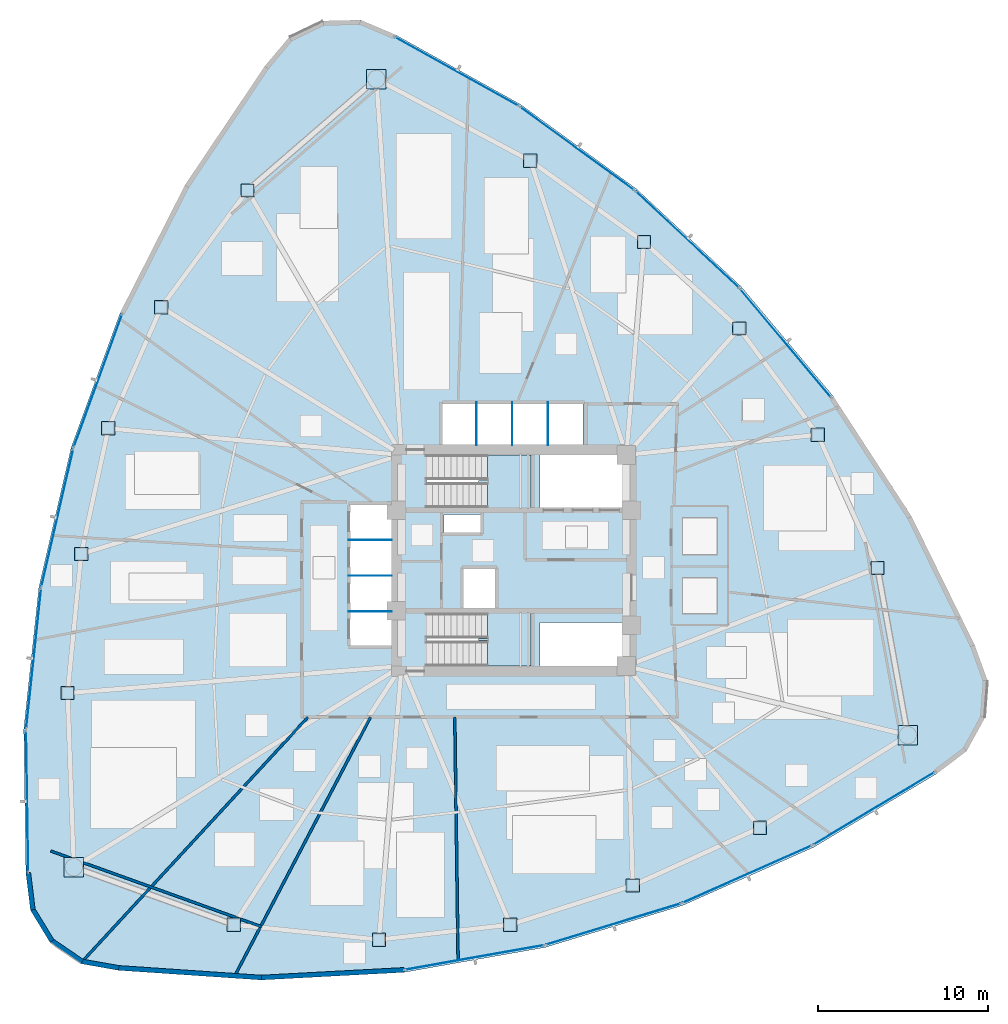
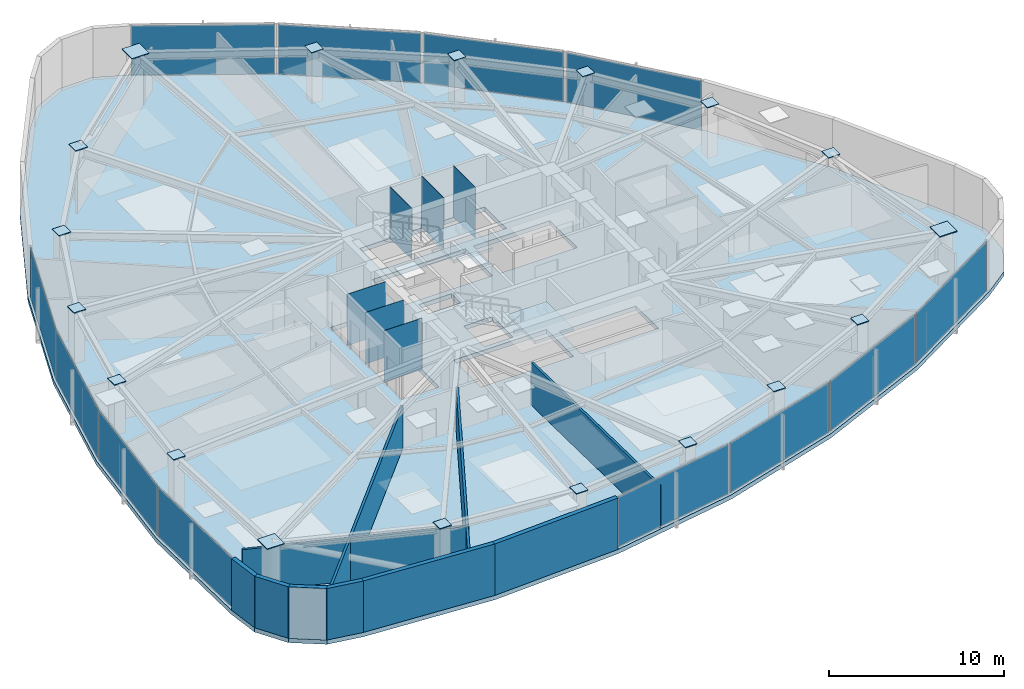
# One storey, part 10 of 17: 36 plates, 10 walls, 3 slabs, 14 elements without a shape of their own.
"""IFC4 building model written with IfcOpenShell, lengths in metres."""

from ifc_helpers import new_model, si_unit, direction, frame, frame_2d, origin, origin_2d, place, context, subcontext, project, spatial, polyline, rectangle, outline, extrude, source, transform, mapped, material, layer, layer_set, type_object, type_shapes, element, aggregate, save


model = new_model("IFC4")

# Units and contexts
model_context = context("Model", 3, precision=1e-05, world=origin(), true_north=direction((0.0, 1.0)))
body_context = subcontext(model_context, "Body", "Model", "MODEL_VIEW")
ifc_project = project(units=[si_unit("LENGTHUNIT", "METRE"), si_unit("AREAUNIT", "SQUARE_METRE"), si_unit("VOLUMEUNIT", "CUBIC_METRE"), si_unit("PLANEANGLEUNIT", "RADIAN"), si_unit("MASSUNIT", "GRAM", prefix="KILO")], contexts=[model_context])

# Site, building, storey
site_placement = place(None, origin())
site = spatial("IfcSite", under=ifc_project, at=site_placement, CompositionType="ELEMENT")
building_placement = place(site_placement, origin())
building = spatial("IfcBuilding", under=site, at=building_placement, Name="Tavelor Broadcast Tower", CompositionType="ELEMENT")
storey_placement = place(building_placement, frame((0.0, 0.0, 82.199951171875)))
storey = spatial("IfcBuildingStorey", under=building, at=storey_placement, Name="L19", CompositionType="ELEMENT", Elevation=82.199951171875)

# Stair, slab
ifc_material_1 = material(Name="Concrete C40/50", Category="concrete")
stair_type = type_object("IfcStairType", Name="Reinforced Concrete Protected Dogleg Stair 1450 mm", PredefinedType="HALF_TURN_STAIR", material=ifc_material_1)
stair_1_placement = place(storey_placement, origin())
stair_1 = element("IfcStair", 1, at=stair_1_placement, inside=storey, type_object=stair_type, Name="L19 Protected Core Exit Stair ST1", PredefinedType="HALF_TURN_STAIR")
ifc_layer_1 = layer(ifc_material_1, 0.199951171875)
ifc_layer_set_1 = layer_set([ifc_layer_1], Name="Concrete C40/50")
slab_type_1 = type_object("IfcSlabType", Name="Reinforced Concrete Stair Half-Landing Slab 200 mm", PredefinedType="LANDING", material=ifc_layer_set_1)
slab_1_placement = place(storey_placement, frame((0.0, 0.0, 1.75)))
slab_1 = element("IfcSlab", 2, at=slab_1_placement, type_object=slab_type_1, Name="ST1 landing 1", PredefinedType="LANDING", context=body_context, shape_type="SweptSolid", body=[
    extrude(outline(polyline([(48.445068359375, 49.590087890625), (48.445068359375, 48.094970703125), (51.0048828125, 48.094970703125), (51.0048828125, 51.205078125), (48.445068359375, 51.205078125), (48.445068359375, 49.7099609375), (47.905029296875, 49.7099609375), (47.905029296875, 49.590087890625), (48.445068359375, 49.590087890625)])), origin(), (0.0, 0.0, 1.0), 0.199951171875),
])
aggregate(stair_1, [slab_1])

stair_2_placement = place(storey_placement, origin())
stair_2 = element("IfcStair", 3, at=stair_2_placement, inside=storey, type_object=stair_type, Name="L19 Protected Core Exit Stair ST2", PredefinedType="HALF_TURN_STAIR")
slab_2_placement = place(storey_placement, frame((0.0, 0.0, 1.75)))
slab_2 = element("IfcSlab", 4, at=slab_2_placement, type_object=slab_type_1, Name="ST2 landing 1", PredefinedType="LANDING", context=body_context, shape_type="SweptSolid", body=[
    extrude(outline(polyline([(48.445068359375, 40.2900390625), (48.445068359375, 38.794921875), (51.0048828125, 38.794921875), (51.0048828125, 41.905029296875), (48.445068359375, 41.905029296875), (48.445068359375, 40.409912109375), (47.905029296875, 40.409912109375), (47.905029296875, 40.2900390625), (48.445068359375, 40.2900390625)])), origin(), (0.0, 0.0, 1.0), 0.199951171875),
])
aggregate(stair_2, [slab_2])

# Slab
ifc_layer_2 = layer(ifc_material_1, 0.300048828125)
ifc_layer_set_2 = layer_set([ifc_layer_2], Name="Concrete C40/50")
slab_type_2 = type_object("IfcSlabType", Name="Tower Composite Floor Slab 300 mm", PredefinedType="FLOOR", material=ifc_layer_set_2)
slab_3_placement = place(storey_placement, frame((0.0, 0.0, -0.300048828125)))
element("IfcSlab", 5, at=slab_3_placement, inside=storey, type_object=slab_type_2, Name="L19 Structural Floor Slab", PredefinedType="FLOOR", context=body_context, shape_type="SweptSolid", body=[
    extrude(outline(polyline([(43.039794921875, 75.87109375), (41.004150390625, 76.733154296875), (38.7939453125, 76.68115234375), (36.80126953125, 75.72412109375), (35.378662109375, 74.03173828125), (30.688232421875, 67.04541015625), (26.877685546875, 59.54296875), (24.0029296875, 51.63427734375), (22.106689453125, 43.43603515625), (21.216064453125, 35.068359375), (21.3447265625, 26.654541015625), (21.6162109375, 24.46044921875), (22.766357421875, 22.572509765625), (24.591552734375, 21.3251953125), (26.768310546875, 20.939208984375), (35.1640625, 20.370361328125), (43.566650390625, 20.82177734375), (51.85302734375, 22.28662109375), (59.901123046875, 24.743408203125), (67.593017578125, 28.156005859375), (74.815185546875, 32.474365234375), (76.57958984375, 33.806396484375), (77.6396484375, 35.746337890625), (77.807373046875, 37.95068359375), (77.052978515625, 40.02880859375), (73.347900390625, 47.583984375), (68.755615234375, 54.635498046875), (63.343994140625, 61.0791015625), (57.192138671875, 66.82080078125), (50.390869140625, 71.775634765625), (43.039794921875, 75.87109375)]), holes=[polyline([(56.60009765625, 38.800048828125), (51.52001953125, 38.800048828125), (51.52001953125, 41.35009765625), (56.60009765625, 41.35009765625), (56.60009765625, 38.800048828125)]), polyline([(50.99609375, 38.803955078125), (44.85400390625, 38.803955078125), (44.85400390625, 41.89599609375), (50.99609375, 41.89599609375), (50.99609375, 38.803955078125)]), polyline([(47.050048828125, 42.199951171875), (47.050048828125, 44.550048828125), (48.949951171875, 44.550048828125), (48.949951171875, 42.199951171875), (47.050048828125, 42.199951171875)]), polyline([(40.35009765625, 40.0), (40.35009765625, 48.25), (42.800048828125, 48.25), (42.800048828125, 40.0), (40.35009765625, 40.0)]), polyline([(48.050048828125, 46.64990234375), (45.89990234375, 46.64990234375), (45.89990234375, 47.699951171875), (48.050048828125, 47.699951171875), (48.050048828125, 46.64990234375)]), polyline([(50.99609375, 48.10400390625), (44.85400390625, 48.10400390625), (44.85400390625, 51.196044921875), (50.99609375, 51.196044921875), (50.99609375, 48.10400390625)]), polyline([(56.60009765625, 48.10009765625), (51.52001953125, 48.10009765625), (51.52001953125, 51.199951171875), (56.60009765625, 51.199951171875), (56.60009765625, 48.10009765625)]), polyline([(54.050048828125, 51.800048828125), (45.800048828125, 51.800048828125), (45.800048828125, 54.25), (54.050048828125, 54.25), (54.050048828125, 51.800048828125)])]), origin(), (0.0, 0.0, 1.0), 0.300048828125),
])

# Plates
ifc_material_2 = material(Name="Steel S460", Category="steel")
ifc_layer_3 = layer(ifc_material_2, 0.050048828125)
ifc_layer_set_3 = layer_set([ifc_layer_3], Name="Steel S460")
plate_type_1 = type_object("IfcPlateType", Name="Tube Hollow-End Cap Plate KN05 700x700x50", PredefinedType="USERDEFINED", material=ifc_layer_set_3)
shared_shape_1 = source(origin(), body_context, "Body", "SweptSolid", [
    extrude(rectangle(XDim=1.14697265625, YDim=1.14697265625, at=origin_2d()), origin(), (0.0, 0.0, 1.0), 0.054931640625),
])
for number, where, z_axis, x_axis, name in (
    (6, (41.923095703125, 73.266357421875, 3.57275390625), (0.0, 0.0, 1.0), (1.0, 0.0, 0.0), "L19 Hollow End Cap Plate KN05 #562"),
    (7, (24.1591796875, 26.98974609375, 3.57275390625), (0.0, 0.0, 1.0), (1.0, 0.0, 0.0), "L19 Hollow End Cap Plate KN05 #568"),
    (8, (73.117919921875, 34.743896484375, 3.57275390625), (0.0, 0.0, 1.0), (1.0, 0.0, 0.0), "L19 Hollow End Cap Plate KN05 #574"),
):
    element("IfcPlate", number, at=place(storey_placement, frame(where, z_axis=z_axis, x_axis=x_axis)), inside=storey, type_object=plate_type_1, Name=name, ObjectType="CAP PLATE", PredefinedType="USERDEFINED", context=body_context, shape_type="MappedRepresentation", body=[
        mapped(shared_shape_1, transform((0.0, 0.0, 0.0), scale=1.0)),
    ])
shared_shape_2 = source(origin(), body_context, "Body", "SweptSolid", [
    extrude(rectangle(XDim=0.780029296875, YDim=0.780029296875, at=origin_2d()), origin(), (0.0, 0.0, 1.0), 0.054931640625),
])
type_shapes(plate_type_1, [shared_shape_1, shared_shape_2])
for number, where, z_axis, x_axis, name in (
    (9, (34.356201171875, 66.727783203125, 3.57275390625), (0.0, 0.0, 1.0), (1.0, 0.0, 0.0), "L19 Hollow End Cap Plate KN05 #563"),
    (10, (29.292236328125, 59.87158203125, 3.57275390625), (0.0, 0.0, 1.0), (1.0, 0.0, 0.0), "L19 Hollow End Cap Plate KN05 #564"),
    (11, (26.189208984375, 52.75830078125, 3.57275390625), (0.0, 0.0, 1.0), (1.0, 0.0, 0.0), "L19 Hollow End Cap Plate KN05 #565"),
    (12, (24.58984375, 45.380615234375, 3.57275390625), (0.0, 0.0, 1.0), (1.0, 0.0, 0.0), "L19 Hollow End Cap Plate KN05 #566"),
    (13, (23.794677734375, 37.21630859375, 3.57275390625), (0.0, 0.0, 1.0), (1.0, 0.0, 0.0), "L19 Hollow End Cap Plate KN05 #567"),
    (14, (33.55078125, 23.615478515625, 3.57275390625), (0.0, 0.0, 1.0), (1.0, 0.0, 0.0), "L19 Hollow End Cap Plate KN05 #569"),
    (15, (42.0732421875, 22.740478515625, 3.57275390625), (0.0, 0.0, 1.0), (1.0, 0.0, 0.0), "L19 Hollow End Cap Plate KN05 #570"),
    (16, (49.78662109375, 23.617919921875, 3.57275390625), (0.0, 0.0, 1.0), (1.0, 0.0, 0.0), "L19 Hollow End Cap Plate KN05 #571"),
    (17, (56.975341796875, 25.92138671875, 3.57275390625), (0.0, 0.0, 1.0), (1.0, 0.0, 0.0), "L19 Hollow End Cap Plate KN05 #572"),
    (18, (64.443603515625, 29.31494140625, 3.57275390625), (0.0, 0.0, 1.0), (1.0, 0.0, 0.0), "L19 Hollow End Cap Plate KN05 #573"),
    (19, (71.343994140625, 44.564697265625, 3.57275390625), (0.0, 0.0, 1.0), (1.0, 0.0, 0.0), "L19 Hollow End Cap Plate KN05 #575"),
    (20, (67.8408203125, 52.382568359375, 3.57275390625), (0.0, 0.0, 1.0), (1.0, 0.0, 0.0), "L19 Hollow End Cap Plate KN05 #576"),
    (21, (63.22412109375, 58.623779296875, 3.57275390625), (0.0, 0.0, 1.0), (1.0, 0.0, 0.0), "L19 Hollow End Cap Plate KN05 #577"),
    (22, (57.634765625, 63.69775390625, 3.57275390625), (0.0, 0.0, 1.0), (1.0, 0.0, 0.0), "L19 Hollow End Cap Plate KN05 #578"),
    (23, (50.9619140625, 68.468505859375, 3.57275390625), (0.0, 0.0, 1.0), (1.0, 0.0, 0.0), "L19 Hollow End Cap Plate KN05 #579"),
):
    element("IfcPlate", number, at=place(storey_placement, frame(where, z_axis=z_axis, x_axis=x_axis)), inside=storey, type_object=plate_type_1, Name=name, ObjectType="CAP PLATE", PredefinedType="USERDEFINED", context=body_context, shape_type="MappedRepresentation", body=[
        mapped(shared_shape_2, transform((0.0, 0.0, 0.0), scale=1.0)),
    ])
ifc_material_3 = material(Name="Steel S355", Category="steel")
ifc_layer_4 = layer(ifc_material_3, 0.011962890625)
ifc_layer_set_4 = layer_set([ifc_layer_4], Name="Steel S355")
plate_type_2 = type_object("IfcPlateType", Name="Hoistway Steel Separator Screen 12 mm", PredefinedType="SHEET", material=ifc_layer_set_4)
shared_shape_3 = source(origin(), body_context, "Body", "SweptSolid", [
    extrude(rectangle(XDim=2.52001953125, YDim=0.02001953125, at=origin_2d()), origin(), (0.0, 0.0, 1.0), 3.60009765625),
])
for number, where, z_axis, x_axis, name in (
    (24, (41.56005859375, 42.0, 0.0), (0.0, 0.0, 1.0), (1.0, 0.0, 0.0), "L19 Low-Rise Hoistway Separator Screen 1"),
    (25, (41.56005859375, 44.10009765625, 0.0), (0.0, 0.0, 1.0), (1.0, 0.0, 0.0), "L19 Low-Rise Hoistway Separator Screen 2"),
    (26, (41.56005859375, 46.199951171875, 0.0), (0.0, 0.0, 1.0), (1.0, 0.0, 0.0), "L19 Low-Rise Hoistway Separator Screen 3"),
):
    element("IfcPlate", number, at=place(storey_placement, frame(where, z_axis=z_axis, x_axis=x_axis)), inside=storey, type_object=plate_type_2, Name=name, PredefinedType="SHEET", context=body_context, shape_type="MappedRepresentation", body=[
        mapped(shared_shape_3, transform((0.0, 0.0, 0.0), scale=1.0)),
    ])
shared_shape_4 = source(origin(), body_context, "Body", "SweptSolid", [
    extrude(rectangle(XDim=0.02001953125, YDim=2.52001953125, at=origin_2d()), origin(), (0.0, 0.0, 1.0), 3.60009765625),
])
type_shapes(plate_type_2, [shared_shape_3, shared_shape_4])
for number, where, z_axis, x_axis, name in (
    (27, (47.800048828125, 53.0400390625, 0.0), (0.0, 0.0, 1.0), (1.0, 0.0, 0.0), "L19 High-Rise Hoistway Separator Screen 1"),
    (28, (49.89990234375, 53.0400390625, 0.0), (0.0, 0.0, 1.0), (1.0, 0.0, 0.0), "L19 High-Rise Hoistway Separator Screen 2"),
    (29, (52.0, 53.0400390625, 0.0), (0.0, 0.0, 1.0), (1.0, 0.0, 0.0), "L19 High-Rise Hoistway Separator Screen 3"),
):
    element("IfcPlate", number, at=place(storey_placement, frame(where, z_axis=z_axis, x_axis=x_axis)), inside=storey, type_object=plate_type_2, Name=name, PredefinedType="SHEET", context=body_context, shape_type="MappedRepresentation", body=[
        mapped(shared_shape_4, transform((0.0, 0.0, 0.0), scale=1.0)),
    ])

# Curtain wall, plate
ifc_material_4 = material(Name="Architectural Anodized Aluminium", Category="aluminium")
ifc_layer_5 = layer(ifc_material_4, 0.179931640625)
ifc_layer_set_5 = layer_set([ifc_layer_5], Name="Architectural Anodized Aluminium")
curtain_wall_type = type_object("IfcCurtainWallType", Name="Tower Low-Zone Unitised Curtain Wall CW02", PredefinedType="NOTDEFINED", material=ifc_layer_set_5)
curtain_wall_1_placement = place(storey_placement, origin())
curtain_wall_1 = element("IfcCurtainWall", 30, at=curtain_wall_1_placement, inside=storey, type_object=curtain_wall_type, Name="L19 Curtain Wall CW02 Run 181", PredefinedType="NOTDEFINED")
ifc_material_5 = material(Name="Acoustic Double Glazing 28 mm", Category="glass")
ifc_layer_6 = layer(ifc_material_5, 0.028076171875)
ifc_layer_set_6 = layer_set([ifc_layer_6], Name="Acoustic Double Glazing 28 mm")
plate_type_3 = type_object("IfcPlateType", Name="CW02 Insulated Vision Glazing Panel 28 mm", PredefinedType="CURTAIN_PANEL", material=ifc_layer_set_6)
shared_shape_5 = source(origin(), body_context, "Body", "SweptSolid", [
    extrude(rectangle(XDim=8.2529296875, YDim=0.028076171875, at=origin_2d()), origin(), (0.0, 0.0, 1.0), 3.469970703125),
])
plate_1_placement = place(storey_placement, frame((25.574462890625, 55.5478515625, 0.06494140625), z_axis=(0.0, 0.0, 1.0), x_axis=(-0.341626207291, -0.93983590828, 0.0)))
plate_1 = element("IfcPlate", 31, at=plate_1_placement, type_object=plate_type_3, Name="CW02 panel 1.1", PredefinedType="CURTAIN_PANEL", context=body_context, shape_type="MappedRepresentation", body=[
    mapped(shared_shape_5, transform((0.0, 0.0, 0.0), scale=1.0)),
])
aggregate(curtain_wall_1, [plate_1])

curtain_wall_2_placement = place(storey_placement, origin())
curtain_wall_2 = element("IfcCurtainWall", 32, at=curtain_wall_2_placement, inside=storey, type_object=curtain_wall_type, Name="L19 Curtain Wall CW02 Run 189", PredefinedType="NOTDEFINED")
plate_2_placement = place(storey_placement, frame((65.947509765625, 57.761474609375, 0.06494140625), z_axis=(0.0, 0.0, 1.0), x_axis=(-0.643121303641, 0.765764316747, 0.0)))
plate_2 = element("IfcPlate", 33, at=plate_2_placement, type_object=plate_type_3, Name="CW02 panel 1.1", PredefinedType="CURTAIN_PANEL", context=body_context, shape_type="MappedRepresentation", body=[
    mapped(shared_shape_5, transform((0.0, 0.0, 0.0), scale=1.0)),
])
aggregate(curtain_wall_2, [plate_2])

curtain_wall_3_placement = place(storey_placement, origin())
curtain_wall_3 = element("IfcCurtainWall", 34, at=curtain_wall_3_placement, inside=storey, type_object=curtain_wall_type, Name="L19 Curtain Wall CW02 Run 182", PredefinedType="NOTDEFINED")
shared_shape_6 = source(origin(), body_context, "Body", "SweptSolid", [
    extrude(rectangle(XDim=8.23779296875, YDim=0.028076171875, at=origin_2d()), origin(), (0.0, 0.0, 1.0), 3.469970703125),
])
plate_3_placement = place(storey_placement, frame((23.191162109375, 47.503662109375, 0.06494140625), z_axis=(0.0, 0.0, 1.0), x_axis=(-0.22536220269, -0.974275052333, 0.0)))
plate_3 = element("IfcPlate", 35, at=plate_3_placement, type_object=plate_type_3, Name="CW02 panel 1.1", PredefinedType="CURTAIN_PANEL", context=body_context, shape_type="MappedRepresentation", body=[
    mapped(shared_shape_6, transform((0.0, 0.0, 0.0), scale=1.0)),
])
aggregate(curtain_wall_3, [plate_3])

curtain_wall_4_placement = place(storey_placement, origin())
curtain_wall_4 = element("IfcCurtainWall", 36, at=curtain_wall_4_placement, inside=storey, type_object=curtain_wall_type, Name="L19 Curtain Wall CW02 Run 183", PredefinedType="NOTDEFINED")
plate_4_placement = place(storey_placement, frame((21.800537109375, 39.2373046875, 0.06494140625), z_axis=(0.0, 0.0, 1.0), x_axis=(-0.10582251079, -0.994385034184, 0.0)))
plate_4 = element("IfcPlate", 37, at=plate_4_placement, type_object=plate_type_3, Name="CW02 panel 1.1", PredefinedType="CURTAIN_PANEL", context=body_context, shape_type="MappedRepresentation", body=[
    mapped(shared_shape_6, transform((0.0, 0.0, 0.0), scale=1.0)),
])
aggregate(curtain_wall_4, [plate_4])

curtain_wall_5_placement = place(storey_placement, origin())
curtain_wall_5 = element("IfcCurtainWall", 38, at=curtain_wall_5_placement, inside=storey, type_object=curtain_wall_type, Name="L19 Curtain Wall CW02 Run 186", PredefinedType="NOTDEFINED")
plate_5_placement = place(storey_placement, frame((55.836181640625, 23.648681640625, 0.06494140625), z_axis=(0.0, 0.0, 1.0), x_axis=(0.956432430946, 0.291953772086, 0.0)))
plate_5 = element("IfcPlate", 39, at=plate_5_placement, type_object=plate_type_3, Name="CW02 panel 1.1", PredefinedType="CURTAIN_PANEL", context=body_context, shape_type="MappedRepresentation", body=[
    mapped(shared_shape_6, transform((0.0, 0.0, 0.0), scale=1.0)),
])
aggregate(curtain_wall_5, [plate_5])

curtain_wall_6_placement = place(storey_placement, origin())
curtain_wall_6 = element("IfcCurtainWall", 40, at=curtain_wall_6_placement, inside=storey, type_object=curtain_wall_type, Name="L19 Curtain Wall CW02 Run 187", PredefinedType="NOTDEFINED")
plate_6_placement = place(storey_placement, frame((63.690185546875, 26.57763671875, 0.06494140625), z_axis=(0.0, 0.0, 1.0), x_axis=(0.914071562143, 0.405552930307, 0.0)))
plate_6 = element("IfcPlate", 41, at=plate_6_placement, type_object=plate_type_3, Name="CW02 panel 1.1", PredefinedType="CURTAIN_PANEL", context=body_context, shape_type="MappedRepresentation", body=[
    mapped(shared_shape_6, transform((0.0, 0.0, 0.0), scale=1.0)),
])
aggregate(curtain_wall_6, [plate_6])

curtain_wall_7_placement = place(storey_placement, origin())
curtain_wall_7 = element("IfcCurtainWall", 42, at=curtain_wall_7_placement, inside=storey, type_object=curtain_wall_type, Name="L19 Curtain Wall CW02 Run 190", PredefinedType="NOTDEFINED")
plate_7_placement = place(storey_placement, frame((60.172607421875, 63.84765625, 0.06494140625), z_axis=(0.0, 0.0, 1.0), x_axis=(-0.731054076016, 0.682319527744, 0.0)))
plate_7 = element("IfcPlate", 43, at=plate_7_placement, type_object=plate_type_3, Name="CW02 panel 1.1", PredefinedType="CURTAIN_PANEL", context=body_context, shape_type="MappedRepresentation", body=[
    mapped(shared_shape_6, transform((0.0, 0.0, 0.0), scale=1.0)),
])
aggregate(curtain_wall_7, [plate_7])

curtain_wall_8_placement = place(storey_placement, origin())
curtain_wall_8 = element("IfcCurtainWall", 44, at=curtain_wall_8_placement, inside=storey, type_object=curtain_wall_type, Name="L19 Curtain Wall CW02 Run 191", PredefinedType="NOTDEFINED")
plate_8_placement = place(storey_placement, frame((53.709228515625, 69.18505859375, 0.06494140625), z_axis=(0.0, 0.0, 1.0), x_axis=(-0.808256240347, 0.588830917956, 0.0)))
plate_8 = element("IfcPlate", 45, at=plate_8_placement, type_object=plate_type_3, Name="CW02 panel 1.1", PredefinedType="CURTAIN_PANEL", context=body_context, shape_type="MappedRepresentation", body=[
    mapped(shared_shape_6, transform((0.0, 0.0, 0.0), scale=1.0)),
])
aggregate(curtain_wall_8, [plate_8])

curtain_wall_9_placement = place(storey_placement, origin())
curtain_wall_9 = element("IfcCurtainWall", 46, at=curtain_wall_9_placement, inside=storey, type_object=curtain_wall_type, Name="L19 Curtain Wall CW02 Run 184", PredefinedType="NOTDEFINED")
shared_shape_7 = source(origin(), body_context, "Body", "SweptSolid", [
    extrude(rectangle(XDim=8.253662109375, YDim=0.028076171875, at=origin_2d()), origin(), (0.0, 0.0, 1.0), 3.469970703125),
])
plate_9_placement = place(storey_placement, frame((21.420654296875, 30.855712890625, 0.06494140625), z_axis=(0.0, 0.0, 1.0), x_axis=(0.015303356352, -0.999882896786, 0.0)))
plate_9 = element("IfcPlate", 47, at=plate_9_placement, type_object=plate_type_3, Name="CW02 panel 1.1", PredefinedType="CURTAIN_PANEL", context=body_context, shape_type="MappedRepresentation", body=[
    mapped(shared_shape_7, transform((0.0, 0.0, 0.0), scale=1.0)),
])
aggregate(curtain_wall_9, [plate_9])

curtain_wall_10_placement = place(storey_placement, origin())
curtain_wall_10 = element("IfcCurtainWall", 48, at=curtain_wall_10_placement, inside=storey, type_object=curtain_wall_type, Name="L19 Curtain Wall CW02 Run 188", PredefinedType="NOTDEFINED")
plate_10_placement = place(storey_placement, frame((71.13916015625, 30.439453125, 0.06494140625), z_axis=(0.0, 0.0, 1.0), x_axis=(0.858279158893, 0.513183091508, 0.0)))
plate_10 = element("IfcPlate", 49, at=plate_10_placement, type_object=plate_type_3, Name="CW02 panel 1.1", PredefinedType="CURTAIN_PANEL", context=body_context, shape_type="MappedRepresentation", body=[
    mapped(shared_shape_7, transform((0.0, 0.0, 0.0), scale=1.0)),
])
aggregate(curtain_wall_10, [plate_10])

curtain_wall_11_placement = place(storey_placement, origin())
curtain_wall_11 = element("IfcCurtainWall", 50, at=curtain_wall_11_placement, inside=storey, type_object=curtain_wall_type, Name="L19 Curtain Wall CW02 Run 192", PredefinedType="NOTDEFINED")
plate_11_placement = place(storey_placement, frame((46.640380859375, 73.704833984375, 0.06494140625), z_axis=(0.0, 0.0, 1.0), x_axis=(-0.873573192466, 0.486692795719, 0.0)))
plate_11 = element("IfcPlate", 51, at=plate_11_placement, type_object=plate_type_3, Name="CW02 panel 1.1", PredefinedType="CURTAIN_PANEL", context=body_context, shape_type="MappedRepresentation", body=[
    mapped(shared_shape_7, transform((0.0, 0.0, 0.0), scale=1.0)),
])
aggregate(curtain_wall_11, [plate_11])

curtain_wall_12_placement = place(storey_placement, origin())
curtain_wall_12 = element("IfcCurtainWall", 52, at=curtain_wall_12_placement, inside=storey, type_object=curtain_wall_type, Name="L19 Curtain Wall CW02 Run 185", PredefinedType="NOTDEFINED")
shared_shape_8 = source(origin(), body_context, "Body", "SweptSolid", [
    extrude(rectangle(XDim=8.252685546875, YDim=0.028076171875, at=origin_2d()), origin(), (0.0, 0.0, 1.0), 3.469970703125),
])
type_shapes(plate_type_3, [shared_shape_5, shared_shape_6, shared_shape_7, shared_shape_8])
plate_12_placement = place(storey_placement, frame((47.677978515625, 21.690673828125, 0.06494140625), z_axis=(0.0, 0.0, 1.0), x_axis=(0.984731033471, 0.174082715166, 0.0)))
plate_12 = element("IfcPlate", 53, at=plate_12_placement, type_object=plate_type_3, Name="CW02 panel 1.1", PredefinedType="CURTAIN_PANEL", context=body_context, shape_type="MappedRepresentation", body=[
    mapped(shared_shape_8, transform((0.0, 0.0, 0.0), scale=1.0)),
])
aggregate(curtain_wall_12, [plate_12])

# Walls
ifc_material_6 = material(Name="Precast Concrete C40/50", Category="concrete")
ifc_layer_7 = layer(ifc_material_6, 0.280029296875)
ifc_layer_set_7 = layer_set([ifc_layer_7], Name="Precast Concrete C40/50")
wall_type_1 = type_object("IfcWallType", Name="Insulated Precast Terracotta Facade Wall 280 mm", PredefinedType="STANDARD", material=ifc_layer_set_7)
wall_1_placement = place(storey_placement, frame((21.484130859375, 26.668212890625, 0.0), z_axis=(0.0, 0.0, 1.0), x_axis=(0.122842119523, -0.992426225808, 0.0)))
element("IfcWall", 54, at=wall_1_placement, inside=storey, type_object=wall_type_1, Name="L19 Rounded Corner Structural Cladding Pier 11", PredefinedType="STANDARD", context=body_context, shape_type="SweptSolid", body=[
    extrude(rectangle(XDim=2.192138671875, YDim=0.280029296875, at=frame_2d((1.09619140625, 0.0))), origin(), (0.0, 0.0, 1.0), 3.60009765625),
])
wall_2_placement = place(storey_placement, frame((21.74365234375, 24.5205078125, 0.0), z_axis=(0.0, 0.0, 1.0), x_axis=(0.520263015386, -0.85400608594, 0.0)))
element("IfcWall", 55, at=wall_2_placement, inside=storey, type_object=wall_type_1, Name="L19 Rounded Corner Structural Cladding Pier 12", PredefinedType="STANDARD", context=body_context, shape_type="SweptSolid", body=[
    extrude(rectangle(XDim=2.1806640625, YDim=0.280029296875, at=frame_2d((1.09033203125, 0.0))), origin(), (0.0, 0.0, 1.0), 3.60009765625),
])
wall_3_placement = place(storey_placement, frame((22.85791015625, 22.679443359375, 0.0), z_axis=(0.0, 0.0, 1.0), x_axis=(0.825639425842, -0.564198137621, 0.0)))
element("IfcWall", 56, at=wall_3_placement, inside=storey, type_object=wall_type_1, Name="L19 Rounded Corner Structural Cladding Pier 13", PredefinedType="STANDARD", context=body_context, shape_type="SweptSolid", body=[
    extrude(rectangle(XDim=2.180419921875, YDim=0.280029296875, at=frame_2d((1.09033203125, 0.0))), origin(), (0.0, 0.0, 1.0), 3.60009765625),
])
wall_4_placement = place(storey_placement, frame((24.630859375, 21.460205078125, 0.0), z_axis=(0.0, 0.0, 1.0), x_axis=(0.984671800633, -0.174417444767, 0.0)))
element("IfcWall", 57, at=wall_4_placement, inside=storey, type_object=wall_type_1, Name="L19 Rounded Corner Structural Cladding Pier 14", PredefinedType="STANDARD", context=body_context, shape_type="SweptSolid", body=[
    extrude(rectangle(XDim=2.203125, YDim=0.280029296875, at=frame_2d((1.1015625, 0.0))), origin(), (0.0, 0.0, 1.0), 3.60009765625),
])
wall_5_placement = place(storey_placement, frame((26.7705078125, 21.07958984375, 0.0), z_axis=(0.0, 0.0, 1.0), x_axis=(0.997710199065, -0.067634005366, 0.0)))
element("IfcWall", 58, at=wall_5_placement, inside=storey, type_object=wall_type_1, Name="L19 Rounded Corner Structural Cladding Pier 15", PredefinedType="STANDARD", context=body_context, shape_type="SweptSolid", body=[
    extrude(rectangle(XDim=8.4287109375, YDim=0.280029296875, at=frame_2d((4.21435546875, 0.0))), origin(), (0.0, 0.0, 1.0), 3.60009765625),
])
wall_6_placement = place(storey_placement, frame((35.14990234375, 20.510009765625, 0.0), z_axis=(0.0, 0.0, 1.0), x_axis=(0.998562315947, 0.053603182475, 0.0)))
element("IfcWall", 59, at=wall_6_placement, inside=storey, type_object=wall_type_1, Name="L19 Rounded Corner Structural Cladding Pier 16", PredefinedType="STANDARD", context=body_context, shape_type="SweptSolid", body=[
    extrude(rectangle(XDim=8.4169921875, YDim=0.280029296875, at=frame_2d((4.20849609375, 0.0))), origin(), (0.0, 0.0, 1.0), 3.60009765625),
])
ifc_material_7 = material(Name="Gypsum Acoustic Plasterboard 150 mm", Category="gypsum")
ifc_layer_8 = layer(ifc_material_7, 0.14990234375)
ifc_layer_set_8 = layer_set([ifc_layer_8], Name="Gypsum Acoustic Plasterboard 150 mm")
wall_type_2 = type_object("IfcWallType", Name="Interior Acoustic Partition Wall 150 mm", PredefinedType="PARTITIONING", material=ifc_layer_set_8)
wall_7_placement = place(storey_placement, frame((22.802001953125, 27.94482421875, 0.0), z_axis=(0.0, 0.0, 1.0), x_axis=(0.941102349209, -0.338121824662, 0.0)))
element("IfcWall", 60, at=wall_7_placement, inside=storey, type_object=wall_type_2, Name="L19 Corner Tube Brace Furring Wall 2", PredefinedType="PARTITIONING", context=body_context, shape_type="SweptSolid", body=[
    extrude(rectangle(XDim=13.1796875, YDim=0.14990234375, at=frame_2d((6.58984375, 0.0))), origin(), (0.0, 0.0, 1.0), 2.97509765625),
])
wall_8_placement = place(storey_placement, frame((37.902587890625, 35.800048828125, 0.0), z_axis=(0.0, 0.0, 1.0), x_axis=(-0.678490269714, -0.734609388657, 0.0)))
element("IfcWall", 61, at=wall_8_placement, inside=storey, type_object=wall_type_2, Name="L19 Radial Compartment Wall 04", PredefinedType="PARTITIONING", context=body_context, shape_type="SweptSolid", body=[
    extrude(rectangle(XDim=19.53759765625, YDim=0.14990234375, at=frame_2d((9.768798828125, 0.0))), origin(), (0.0, 0.0, 1.0), 2.97509765625),
])
wall_9_placement = place(storey_placement, frame((41.57470703125, 35.800048828125, 0.0), z_axis=(0.0, 0.0, 1.0), x_axis=(-0.464489726775, -0.885578507937, 0.0)))
element("IfcWall", 62, at=wall_9_placement, inside=storey, type_object=wall_type_2, Name="L19 Radial Compartment Wall 05", PredefinedType="PARTITIONING", context=body_context, shape_type="SweptSolid", body=[
    extrude(rectangle(XDim=17.156982421875, YDim=0.14990234375, at=frame_2d((8.57861328125, 0.0))), origin(), (0.0, 0.0, 1.0), 2.97509765625),
])
wall_10_placement = place(storey_placement, frame((46.526123046875, 35.800048828125, 0.0), z_axis=(0.0, 0.0, 1.0), x_axis=(0.013702024921, -0.99990612285, 0.0)))
element("IfcWall", 63, at=wall_10_placement, inside=storey, type_object=wall_type_2, Name="L19 Radial Compartment Wall 06", PredefinedType="PARTITIONING", context=body_context, shape_type="SweptSolid", body=[
    extrude(rectangle(XDim=14.289794921875, YDim=0.14990234375, at=frame_2d((7.14501953125, 0.0))), origin(), (0.0, 0.0, 1.0), 2.97509765625),
])

save(model, "model.ifc")
